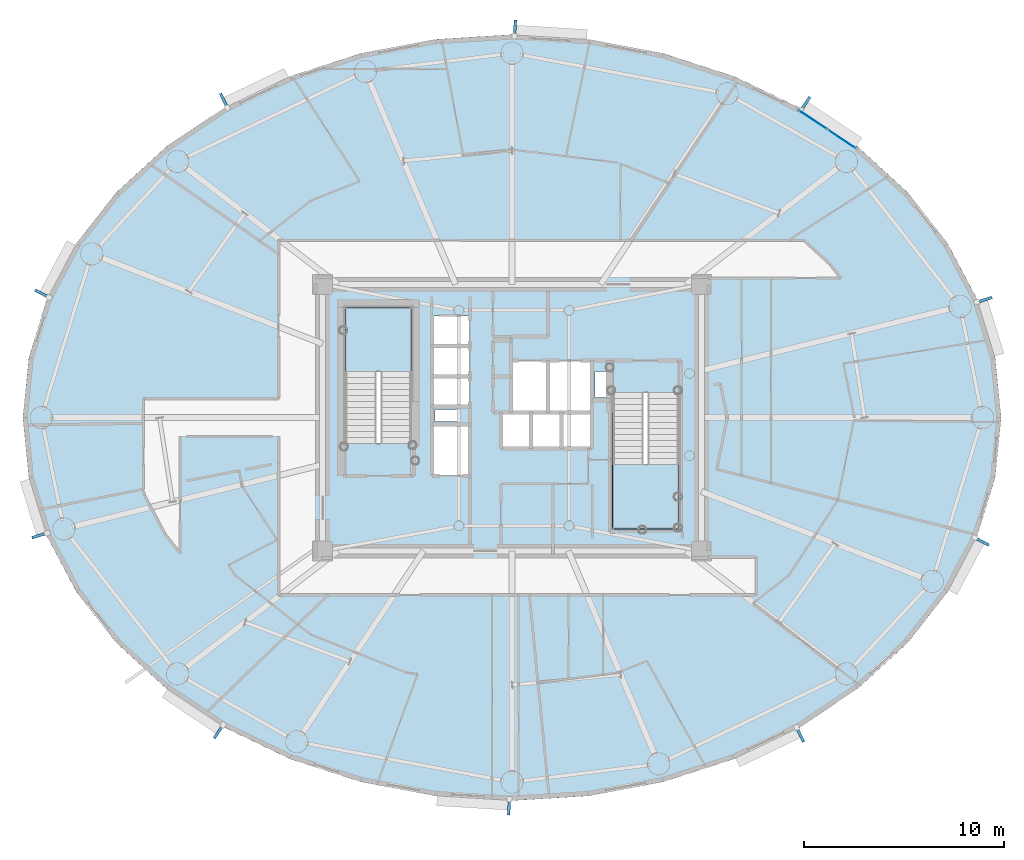
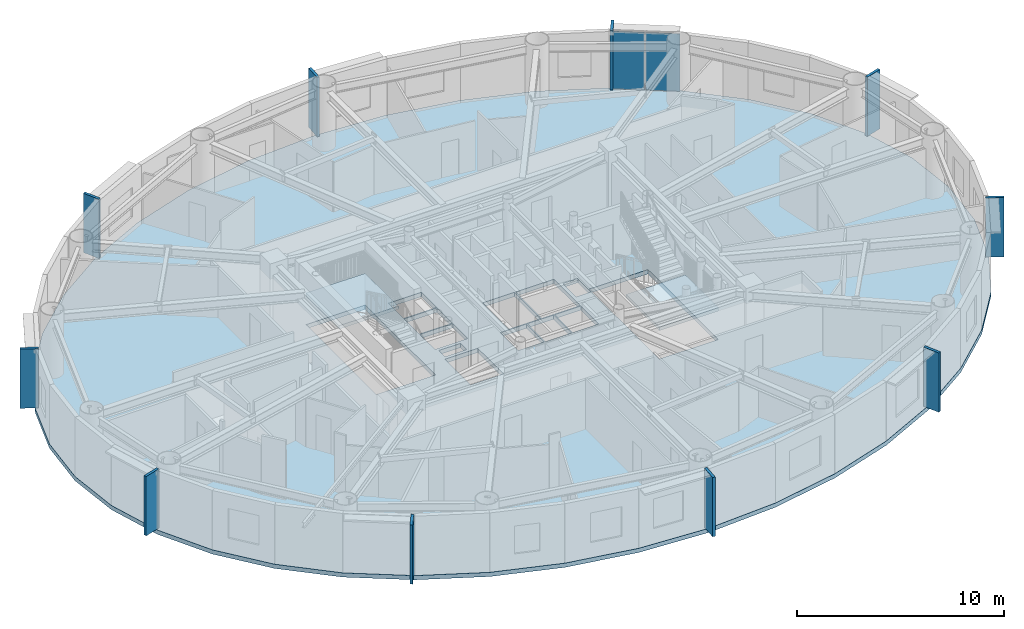
# One storey, part 6 of 21: 12 plates, 3 slabs, 3 elements without a shape of their own.
"""IFC4 building model written with IfcOpenShell, lengths in metres."""

from ifc_helpers import new_model, si_unit, direction, frame, origin, origin_2d, place, context, subcontext, project, spatial, polyline, rectangle, outline, extrude, source, transform, mapped, material, layer, layer_set, type_object, element, aggregate, save


model = new_model("IFC4")

# Units and contexts
model_context = context("Model", 3, precision=1e-05, world=origin(), true_north=direction((0.0, 1.0)))
body_context = subcontext(model_context, "Body", "Model", "MODEL_VIEW")
ifc_project = project(units=[si_unit("LENGTHUNIT", "METRE"), si_unit("AREAUNIT", "SQUARE_METRE"), si_unit("VOLUMEUNIT", "CUBIC_METRE"), si_unit("PLANEANGLEUNIT", "RADIAN"), si_unit("MASSUNIT", "GRAM", prefix="KILO")], contexts=[model_context])

# Site, building, storey
site_placement = place(None, origin())
site = spatial("IfcSite", under=ifc_project, at=site_placement, CompositionType="ELEMENT")
building_placement = place(site_placement, origin())
building = spatial("IfcBuilding", under=site, at=building_placement, Name="Linh Dai School and Residence Tower", CompositionType="ELEMENT")
storey_placement = place(building_placement, frame((0.0, 0.0, 251.550048828125)))
storey = spatial("IfcBuildingStorey", under=building, at=storey_placement, Name="L62", CompositionType="ELEMENT", Elevation=251.550048828125)

# Slab
ifc_material_1 = material(Name="Concrete B45 (C35/45)", Category="concrete")
ifc_layer_1 = layer(ifc_material_1, 0.25)
ifc_layer_set_1 = layer_set([ifc_layer_1], Name="Concrete B45 (C35/45)")
slab_type_1 = type_object("IfcSlabType", Name="SLB-FLR250", PredefinedType="FLOOR", material=ifc_layer_set_1)
slab_1_placement = place(storey_placement, frame((0.0, 0.0, -0.25)))
element("IfcSlab", 1, at=slab_1_placement, inside=storey, type_object=slab_type_1, Name="L62 Composite Structural Floor Slab", PredefinedType="FLOOR", context=body_context, shape_type="SweptSolid", body=[
    extrude(outline(polyline([(60.39990234375, 27.0), (60.099609375, 29.98876953125), (59.205810546875, 32.90380859375), (57.740478515625, 35.673583984375), (55.739990234375, 38.229736328125), (53.25341796875, 40.50927734375), (50.342041015625, 42.456298828125), (47.077392578125, 44.022705078125), (43.5400390625, 45.169921875), (39.81689453125, 45.869873046875), (36.0, 46.10498046875), (32.18310546875, 45.869873046875), (28.4599609375, 45.169921875), (24.922607421875, 44.022705078125), (21.657958984375, 42.456298828125), (18.74658203125, 40.50927734375), (16.260009765625, 38.229736328125), (14.259521484375, 35.673583984375), (12.794189453125, 32.90380859375), (11.900390625, 29.98876953125), (11.60009765625, 27.0), (11.900390625, 24.01123046875), (12.794189453125, 21.09619140625), (14.259521484375, 18.326416015625), (16.260009765625, 15.770263671875), (18.74658203125, 13.49072265625), (21.657958984375, 11.543701171875), (24.922607421875, 9.977294921875), (28.4599609375, 8.830078125), (32.18310546875, 8.130126953125), (36.0, 7.89501953125), (39.81689453125, 8.130126953125), (43.5400390625, 8.830078125), (47.077392578125, 9.977294921875), (50.342041015625, 11.543701171875), (53.25341796875, 13.49072265625), (55.739990234375, 15.770263671875), (57.740478515625, 18.326416015625), (59.205810546875, 21.09619140625), (60.099609375, 24.01123046875), (60.39990234375, 27.0)]), holes=[polyline([(30.97998046875, 25.699951171875), (30.97998046875, 32.5), (27.679931640625, 32.5), (27.679931640625, 25.699951171875), (30.97998046875, 25.699951171875)]), polyline([(41.02001953125, 28.25), (41.02001953125, 21.449951171875), (44.320068359375, 21.449951171875), (44.320068359375, 28.25), (41.02001953125, 28.25)]), polyline([(35.97998046875, 27.280029296875), (37.77001953125, 27.280029296875), (37.77001953125, 29.820068359375), (35.97998046875, 29.820068359375), (35.97998046875, 27.280029296875)]), polyline([(32.030029296875, 24.1298828125), (33.8701171875, 24.1298828125), (33.8701171875, 26.6201171875), (32.030029296875, 26.6201171875), (32.030029296875, 24.1298828125)]), polyline([(37.830078125, 27.280029296875), (39.969970703125, 27.280029296875), (39.969970703125, 29.820068359375), (37.830078125, 29.820068359375), (37.830078125, 27.280029296875)]), polyline([(32.030029296875, 27.580078125), (33.8701171875, 27.580078125), (33.8701171875, 29.030029296875), (32.030029296875, 29.030029296875), (32.030029296875, 27.580078125)]), polyline([(32.030029296875, 29.090087890625), (33.8701171875, 29.090087890625), (33.8701171875, 30.550048828125), (32.030029296875, 30.550048828125), (32.030029296875, 29.090087890625)]), polyline([(32.030029296875, 30.610107421875), (33.8701171875, 30.610107421875), (33.8701171875, 32.070068359375), (32.030029296875, 32.070068359375), (32.030029296875, 30.610107421875)]), polyline([(35.47998046875, 25.47998046875), (36.929931640625, 25.47998046875), (36.929931640625, 27.219970703125), (35.47998046875, 27.219970703125), (35.47998046875, 25.47998046875)]), polyline([(36.989990234375, 25.47998046875), (38.449951171875, 25.47998046875), (38.449951171875, 27.219970703125), (36.989990234375, 27.219970703125), (36.989990234375, 25.47998046875)]), polyline([(38.510009765625, 25.47998046875), (39.969970703125, 25.47998046875), (39.969970703125, 27.219970703125), (38.510009765625, 27.219970703125), (38.510009765625, 25.47998046875)]), polyline([(40.14990234375, 28.0), (40.14990234375, 29.300048828125), (41.0, 29.300048828125), (41.0, 28.280029296875), (40.989990234375, 28.280029296875), (40.989990234375, 28.0), (40.14990234375, 28.0)]), polyline([(32.14990234375, 26.800048828125), (33.35009765625, 26.800048828125), (33.35009765625, 27.39990234375), (32.14990234375, 27.39990234375), (32.14990234375, 26.800048828125)])]), origin(), (0.0, 0.0, 1.0), 0.25),
])

# Stair, slab
stair_type = type_object("IfcStairType", Name="ST-DOG-1550-R1442", PredefinedType="HALF_TURN_STAIR", material=ifc_material_1)
stair_1_placement = place(storey_placement, origin())
stair_1 = element("IfcStair", 2, at=stair_1_placement, inside=storey, type_object=stair_type, Name="L62 Core Smokeproof Exit Stair ST1", PredefinedType="HALF_TURN_STAIR")
ifc_layer_2 = layer(ifc_material_1, 0.199951171875)
ifc_layer_set_2 = layer_set([ifc_layer_2], Name="Concrete B45 (C35/45)")
slab_type_2 = type_object("IfcSlabType", Name="SLB-ST-LANDING-200", PredefinedType="LANDING", material=ifc_layer_set_2)
slab_2_placement = place(storey_placement, frame((0.0, 0.0, 1.675048828125)))
slab_2 = element("IfcSlab", 3, at=slab_2_placement, type_object=slab_type_2, Name="ST1 landing 1", PredefinedType="LANDING", context=body_context, shape_type="SweptSolid", body=[
    extrude(outline(polyline([(30.97998046875, 29.300048828125), (30.97998046875, 32.5), (27.679931640625, 32.5), (27.679931640625, 29.300048828125), (30.97998046875, 29.300048828125)])), origin(), (0.0, 0.0, 1.0), 0.199951171875),
])
aggregate(stair_1, [slab_2])

stair_2_placement = place(storey_placement, origin())
stair_2 = element("IfcStair", 4, at=stair_2_placement, inside=storey, type_object=stair_type, Name="L62 Core Smokeproof Exit Stair ST2", PredefinedType="HALF_TURN_STAIR")
slab_3_placement = place(storey_placement, frame((0.0, 0.0, 1.675048828125)))
slab_3 = element("IfcSlab", 5, at=slab_3_placement, type_object=slab_type_2, Name="ST2 landing 1", PredefinedType="LANDING", context=body_context, shape_type="SweptSolid", body=[
    extrude(outline(polyline([(41.02001953125, 24.64990234375), (41.02001953125, 21.449951171875), (44.320068359375, 21.449951171875), (44.320068359375, 24.64990234375), (41.02001953125, 24.64990234375)])), origin(), (0.0, 0.0, 1.0), 0.199951171875),
])
aggregate(stair_2, [slab_3])

# Plates
ifc_material_2 = material(Name="Precast Concrete B45 (C35/45)", Category="concrete")
ifc_layer_3 = layer(ifc_material_2, 0.139892578125)
ifc_layer_set_3 = layer_set([ifc_layer_3], Name="Precast Concrete B45 (C35/45)")
plate_type_1 = type_object("IfcPlateType", Name="FIN-TC-900x140", PredefinedType="USERDEFINED", material=ifc_layer_set_3)
shared_shape_1 = source(origin(), body_context, "Body", "SweptSolid", [
    extrude(rectangle(XDim=0.89990234375, YDim=0.139892578125, at=origin_2d()), origin(), (0.0, 0.0, 1.0), 3.5),
])
for number, where, z_axis, x_axis, name in (
    (6, (59.517578125, 32.861328125, 0.0), (0.0, 0.0, 1.0), (0.956064190994, 0.2931574026, 0.0), "L62 Precast Terracotta Radial Fin 02"),
    (7, (50.60791015625, 42.621826171875, 0.0), (0.0, 0.0, 1.0), (0.555887222025, 0.831257719597, 0.0), "L62 Precast Terracotta Radial Fin 06"),
    (8, (36.14501953125, 46.3818359375, 0.0), (0.0, 0.0, 1.0), (0.061504437922, 0.998106809974, 0.0), "L62 Precast Terracotta Radial Fin 10"),
    (9, (21.650634765625, 42.769287109375, 0.0), (0.0, 0.0, 1.0), (-0.432593941973, 0.901588864931, 0.0), "L62 Precast Terracotta Radial Fin 14"),
    (10, (12.603271484375, 33.153564453125, 0.0), (0.0, 0.0, 1.0), (-0.883928950783, 0.467621224891, 0.0), "L62 Precast Terracotta Radial Fin 18"),
    (11, (12.482421875, 21.138671875, 0.0), (0.0, 0.0, 1.0), (-0.956064190994, -0.2931574026, 0.0), "L62 Precast Terracotta Radial Fin 22"),
    (12, (21.39208984375, 11.378173828125, 0.0), (0.0, 0.0, 1.0), (-0.555887222025, -0.831257719597, 0.0), "L62 Precast Terracotta Radial Fin 26"),
    (13, (35.85498046875, 7.6181640625, 0.0), (0.0, 0.0, 1.0), (-0.061504437922, -0.998106809974, 0.0), "L62 Precast Terracotta Radial Fin 30"),
    (14, (50.349365234375, 11.230712890625, 0.0), (0.0, 0.0, 1.0), (0.432593941973, -0.901588864931, 0.0), "L62 Precast Terracotta Radial Fin 34"),
    (15, (59.396728515625, 20.846435546875, 0.0), (0.0, 0.0, 1.0), (0.883928950783, -0.467621224891, 0.0), "L62 Precast Terracotta Radial Fin 38"),
):
    element("IfcPlate", number, at=place(storey_placement, frame(where, z_axis=z_axis, x_axis=x_axis)), inside=storey, type_object=plate_type_1, Name=name, ObjectType="RADIAL FIN", PredefinedType="USERDEFINED", context=body_context, shape_type="MappedRepresentation", body=[
        mapped(shared_shape_1, transform((0.0, 0.0, 0.0), x_axis=(1.0, 0.0, 0.0), y_axis=(0.0, 1.0, 0.0), z_axis=(0.0, 0.0, 1.0), scale=1.0)),
    ])

# Curtain wall, plates
ifc_material_3 = material(Name="Aluminium Anodised Curtain Wall", Category="aluminium")
ifc_layer_4 = layer(ifc_material_3, 0.14990234375)
ifc_layer_set_4 = layer_set([ifc_layer_4], Name="Aluminium Anodised Curtain Wall")
curtain_wall_type = type_object("IfcCurtainWallType", Name="CW-SYS-4", PredefinedType="USERDEFINED", material=ifc_layer_set_4)
curtain_wall_placement = place(storey_placement, origin())
curtain_wall = element("IfcCurtainWall", 16, at=curtain_wall_placement, inside=storey, type_object=curtain_wall_type, Name="L62 CW4 Curtain Wall 06", ObjectType="RIBBON CURTAIN WALL", PredefinedType="USERDEFINED")
ifc_material_4 = material(Name="Double Low-E Insulated Glazing", Category="glass")
ifc_layer_5 = layer(ifc_material_4, 0.02587890625)
ifc_layer_set_5 = layer_set([ifc_layer_5], Name="Double Low-E Insulated Glazing")
plate_type_2 = type_object("IfcPlateType", Name="CW-SYS-4-PAN", PredefinedType="CURTAIN_PANEL", material=ifc_layer_set_5)
shared_shape_2 = source(origin(), body_context, "Body", "SweptSolid", [
    extrude(rectangle(XDim=1.6640625, YDim=0.02587890625, at=origin_2d()), origin(), (0.0, 0.0, 1.0), 3.39599609375),
])
plate_1_placement = place(storey_placement, frame((51.014892578125, 41.856201171875, 0.052001953125), z_axis=(0.0, 0.0, 1.0), x_axis=(0.831257719597, -0.555887222025, 0.0)))
plate_1 = element("IfcPlate", 17, at=plate_1_placement, type_object=plate_type_2, Name="CW4 panel 1.1", PredefinedType="CURTAIN_PANEL", context=body_context, shape_type="MappedRepresentation", body=[
    mapped(shared_shape_2, transform((0.0, 0.0, 0.0), x_axis=(1.0, 0.0, 0.0), y_axis=(0.0, 1.0, 0.0), z_axis=(0.0, 0.0, 1.0), scale=1.0)),
])
plate_2_placement = place(storey_placement, frame((52.44140625, 40.90234375, 0.052001953125), z_axis=(0.0, 0.0, 1.0), x_axis=(0.831257719597, -0.555887222025, 0.0)))
plate_2 = element("IfcPlate", 18, at=plate_2_placement, type_object=plate_type_2, Name="CW4 panel 2.1", PredefinedType="CURTAIN_PANEL", context=body_context, shape_type="MappedRepresentation", body=[
    mapped(shared_shape_2, transform((0.0, 0.0, 0.0), x_axis=(1.0, 0.0, 0.0), y_axis=(0.0, 1.0, 0.0), z_axis=(0.0, 0.0, 1.0), scale=1.0)),
])
aggregate(curtain_wall, [plate_1, plate_2])

save(model, "model.ifc")
